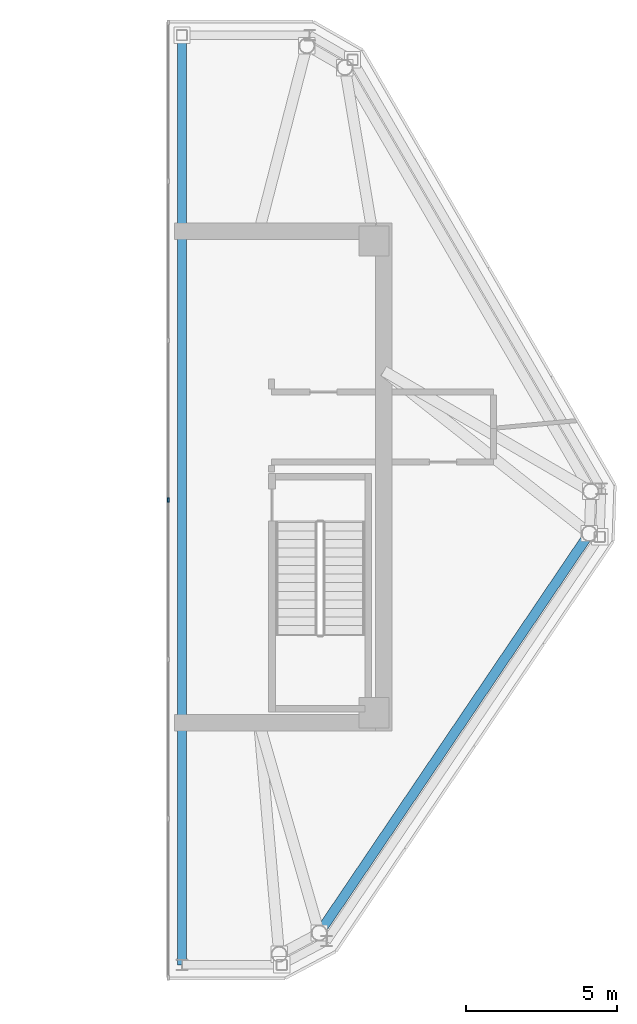
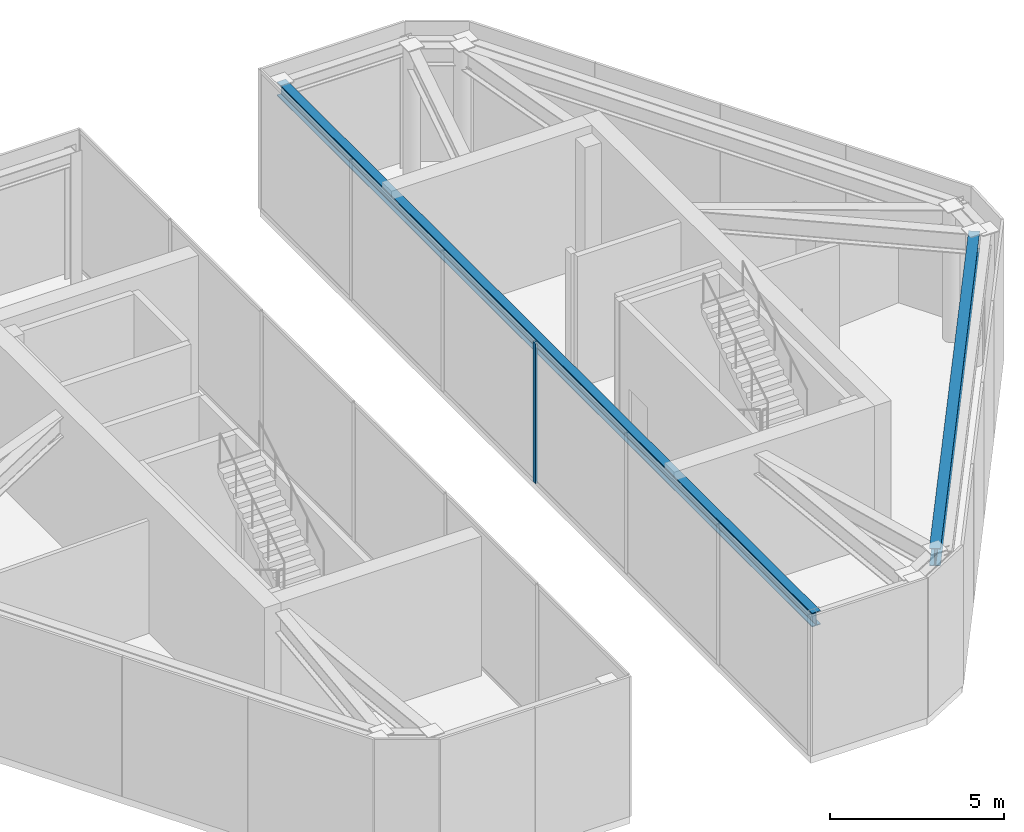
# One storey, part 3 of 8: 2 beams, 1 member, 1 element without a shape of its own.
"""IFC4 building model written with IfcOpenShell, lengths in metres."""

import ifcopenshell
import ifcopenshell.guid

model = None  # the IFC model being written
_history = None  # IfcOwnerHistory: only IFC2X3 demands one
_inside = {}  # id of a spatial element -> (the spatial element, [elements in it])
_under = {}  # id of a project, library or spatial element -> (it, [spatial elements below it])
_declared = {}  # id of a project -> (the project, [libraries it declares])
_typed = {}  # id of a type object -> (the type object, [elements of that type])
_made_of = {}  # id of a material, layer set ... -> (it, [elements and type objects made of it])


def new_model(schema):
    """Start an empty IFC model of exactly this schema.

    Asked for "IFC4X3", IfcOpenShell would pick the latest addendum, in which some entities
    have other attributes; the version numbers below select the first issue.
    IFC2X3 requires an IfcOwnerHistory on every rooted entity: one is made here for all.
    """
    global model, _history
    if schema == "IFC4X3":
        model = ifcopenshell.file(schema_version=(4, 3, 0, 0))
    else:
        model = ifcopenshell.file(schema=schema)
    _inside.clear()
    _under.clear()
    _declared.clear()
    _typed.clear()
    _made_of.clear()
    _history = None
    if model.schema == "IFC2X3":
        org = make("IfcOrganization", Name="unknown")
        user = make(
            "IfcPersonAndOrganization",
            ThePerson=make("IfcPerson", FamilyName="unknown"),
            TheOrganization=org,
        )
        app = make(
            "IfcApplication",
            ApplicationDeveloper=org,
            Version="unknown",
            ApplicationFullName="unknown",
            ApplicationIdentifier="unknown",
        )
        _history = make(
            "IfcOwnerHistory",
            OwningUser=user,
            OwningApplication=app,
            ChangeAction="ADDED",
            CreationDate=0,
        )
    return model


def make(cls, **values):
    """One entity of the class cls with the attributes given. An attribute that is None is left unset."""
    return model.create_entity(
        cls, **{name: value for name, value in values.items() if value is not None}
    )


def rooted(cls, **values):
    """An entity with a GlobalId (a new one), such as an element, a storey or a relation."""
    return make(cls, GlobalId=ifcopenshell.guid.new(), OwnerHistory=_history, **values)


def si_unit(unit_type, name, prefix=None):
    """IfcSIUnit, for example si_unit("LENGTHUNIT", "METRE", prefix="MILLI")."""
    return make("IfcSIUnit", UnitType=unit_type, Prefix=prefix, Name=name)


def assignment(units):
    """IfcUnitAssignment: the units of a project."""
    return None if units is None else make("IfcUnitAssignment", Units=units)


def point(xyz):
    """IfcCartesianPoint."""
    return None if xyz is None else make("IfcCartesianPoint", Coordinates=xyz)


def direction(xyz):
    """IfcDirection."""
    return None if xyz is None else make("IfcDirection", DirectionRatios=xyz)


def frame(location, z_axis=None, x_axis=None):
    """IfcAxis2Placement3D, a coordinate frame: its origin and axes. An axis left out is left unset."""
    return make(
        "IfcAxis2Placement3D",
        Location=point(location),
        Axis=direction(z_axis),
        RefDirection=direction(x_axis),
    )


def frame_2d(location, x_axis=None):
    """IfcAxis2Placement2D, a coordinate frame in the plane: its origin and x axis."""
    return make(
        "IfcAxis2Placement2D", Location=point(location), RefDirection=direction(x_axis)
    )


def origin():
    """The frame at (0, 0, 0) with its axes left unset."""
    return frame((0.0, 0.0, 0.0))


def origin_2d():
    """The frame at (0, 0) in the plane with its x axis left unset."""
    return frame_2d((0.0, 0.0))


def place(relative_to, where):
    """IfcLocalPlacement: puts the frame where relative to a parent placement (None: the world)."""
    return make(
        "IfcLocalPlacement", PlacementRelTo=relative_to, RelativePlacement=where
    )


def context(
    kind, dimensions, precision=None, world=None, true_north=None, identifier=None
):
    """IfcGeometricRepresentationContext, for example the 3D "Model" context."""
    return make(
        "IfcGeometricRepresentationContext",
        ContextIdentifier=identifier,
        ContextType=kind,
        CoordinateSpaceDimension=dimensions,
        Precision=precision,
        WorldCoordinateSystem=world,
        TrueNorth=true_north,
    )


def subcontext(parent, identifier, kind, view, scale=None):
    """IfcGeometricRepresentationSubContext, for example "Body" below "Model"."""
    return make(
        "IfcGeometricRepresentationSubContext",
        ContextIdentifier=identifier,
        ContextType=kind,
        ParentContext=parent,
        TargetScale=scale,
        TargetView=view,
    )


def project(units=None, contexts=None):
    """IfcProject with its units and contexts."""
    return rooted(
        "IfcProject",
        Name="project",
        RepresentationContexts=contexts,
        UnitsInContext=assignment(units),
    )


def spatial(cls, under=None, at=None, **own):
    """A site, building, storey or space (cls), placed at a placement, below another one or the project."""
    s = rooted(cls, ObjectPlacement=at, **own)
    if under is not None:
        _under.setdefault(under.id(), (under, []))[1].append(s)
    return s


def profile(cls, at=None, kind="AREA", **sizes):
    """A parametric profile (cls). Its sizes go by their IFC names, for example OverallWidth=200.0."""
    return make(cls, ProfileType=kind, Position=at, **sizes)


def rectangle(**sizes):
    """IfcRectangleProfileDef."""
    return profile("IfcRectangleProfileDef", **sizes)


def i_section(**sizes):
    """IfcIShapeProfileDef."""
    return profile("IfcIShapeProfileDef", **sizes)


def extrude(swept, where, along, depth):
    """IfcExtrudedAreaSolid: the profile swept, set in the frame where, extruded along a direction by depth."""
    return make(
        "IfcExtrudedAreaSolid",
        SweptArea=swept,
        Position=where,
        ExtrudedDirection=direction(along),
        Depth=depth,
    )


def shape(context_of_items, identifier, shape_type, items):
    """IfcShapeRepresentation: the items that make up one representation, for example the "Body"."""
    return make(
        "IfcShapeRepresentation",
        ContextOfItems=context_of_items,
        RepresentationIdentifier=identifier,
        RepresentationType=shape_type,
        Items=items,
    )


def source(mapping_origin, context_of_items, identifier, shape_type, items):
    """IfcRepresentationMap: a shape defined once, which mapped items show again and again."""
    return make(
        "IfcRepresentationMap",
        MappingOrigin=mapping_origin,
        MappedRepresentation=shape(context_of_items, identifier, shape_type, items),
    )


def transform(
    local_origin,
    x_axis=None,
    y_axis=None,
    z_axis=None,
    scale=None,
    scale2=None,
    scale3=None,
    uniform=True,
):
    """IfcCartesianTransformationOperator3D, or its non-uniform kind. x_axis, y_axis, z_axis: its Axis1, 2, 3."""
    if uniform:
        return make(
            "IfcCartesianTransformationOperator3D",
            Axis1=direction(x_axis),
            Axis2=direction(y_axis),
            LocalOrigin=point(local_origin),
            Scale=scale,
            Axis3=direction(z_axis),
        )
    return make(
        "IfcCartesianTransformationOperator3DnonUniform",
        Axis1=direction(x_axis),
        Axis2=direction(y_axis),
        LocalOrigin=point(local_origin),
        Scale=scale,
        Axis3=direction(z_axis),
        Scale2=scale2,
        Scale3=scale3,
    )


def mapped(mapping_source, mapping_target):
    """IfcMappedItem: shows the shape of a source again, moved by a transform."""
    return make(
        "IfcMappedItem", MappingSource=mapping_source, MappingTarget=mapping_target
    )


def material(Name=None, Category=None):
    """IfcMaterial."""
    return make("IfcMaterial", Name=Name, Category=Category)


def layer(
    of_material, thickness, ventilated=None, Name=None, Category=None, Priority=None
):
    """IfcMaterialLayer: one layer of a wall or slab, of a material (None: an air gap)."""
    return make(
        "IfcMaterialLayer",
        Material=of_material,
        LayerThickness=thickness,
        IsVentilated=ventilated,
        Name=Name,
        Category=Category,
        Priority=Priority,
    )


def layer_set(layers, Name=None):
    """IfcMaterialLayerSet."""
    return make("IfcMaterialLayerSet", MaterialLayers=layers, LayerSetName=Name)


def material_profile(
    of_material, cross_section, Name=None, Category=None, Priority=None
):
    """IfcMaterialProfile: a cross section and its material."""
    return make(
        "IfcMaterialProfile",
        Name=Name,
        Material=of_material,
        Profile=cross_section,
        Priority=Priority,
        Category=Category,
    )


def profile_set(profiles, Name=None, composite=None):
    """IfcMaterialProfileSet."""
    return make(
        "IfcMaterialProfileSet",
        Name=Name,
        MaterialProfiles=profiles,
        CompositeProfile=composite,
    )


def made_of(thing, what):
    """Note that an element or type object is made of a material, layer set ...; save() writes the relation."""
    if what is not None:
        _made_of.setdefault(what.id(), (what, []))[1].append(thing)
    return thing


def type_object(cls, material=None, **own):
    """A type object (cls), such as IfcWallType, which elements share."""
    return made_of(rooted(cls, **own), material)


def type_shapes(of_type, sources):
    """Give a type object the sources (RepresentationMaps) that its elements show as mapped items."""
    of_type.RepresentationMaps = sources


def element(
    cls,
    number,
    at=None,
    inside=None,
    cuts=None,
    type_object=None,
    material=None,
    context=None,
    identifier="Body",
    shape_type=None,
    held_by="IfcProductDefinitionShape",
    body=None,
    shapes=None,
    **own,
):
    """One element of the class cls, such as IfcWall. Its Tag is "e" and its number.

    at: its placement. inside: the storey or other place that contains it. cuts: it is an
    opening in that element (IfcRelVoidsElement). A single representation is given by context,
    identifier, shape_type and body (its items); several are given by shapes. held_by: the class
    of the entity that holds the representations. save() writes the other relations.
    """
    e = rooted(cls, Tag="e%d" % number, ObjectPlacement=at, **own)
    if body is not None:
        shapes = [shape(context, identifier, shape_type, body)]
    if shapes is not None:
        e.Representation = make(held_by, Representations=shapes)
    if inside is not None:
        _inside.setdefault(inside.id(), (inside, []))[1].append(e)
    if cuts is not None:
        rooted(
            "IfcRelVoidsElement", RelatingBuildingElement=cuts, RelatedOpeningElement=e
        )
    if type_object is not None:
        _typed.setdefault(type_object.id(), (type_object, []))[1].append(e)
    return made_of(e, material)


def aggregate(whole, parts):
    """IfcRelAggregates: a whole, such as a stair, and the parts it consists of."""
    return rooted("IfcRelAggregates", RelatingObject=whole, RelatedObjects=parts)


def save(model, path):
    """Write the relations noted so far, then the file.

    IfcRelAggregates (storeys below a building ...), IfcRelContainedInSpatialStructure (elements
    in a storey), IfcRelDefinesByType, IfcRelAssociatesMaterial and IfcRelDeclares: one each for
    every whole, place, type object, material and project.
    """
    for whole, parts in _under.values():
        aggregate(whole, parts)
    for where, things in _inside.values():
        rooted(
            "IfcRelContainedInSpatialStructure",
            RelatedElements=things,
            RelatingStructure=where,
        )
    for kind, things in _typed.values():
        rooted("IfcRelDefinesByType", RelatedObjects=things, RelatingType=kind)
    for what, things in _made_of.values():
        rooted("IfcRelAssociatesMaterial", RelatedObjects=things, RelatingMaterial=what)
    for by, libraries in _declared.values():
        rooted("IfcRelDeclares", RelatingContext=by, RelatedDefinitions=libraries)
    model.write(path)


model = new_model("IFC4")

# Units and contexts
model_context = context("Model", 3, precision=1e-05, world=origin(), true_north=direction((0.0, 1.0)))
body_context = subcontext(model_context, "Body", "Model", "MODEL_VIEW")
ifc_project = project(units=[si_unit("LENGTHUNIT", "METRE"), si_unit("AREAUNIT", "SQUARE_METRE"), si_unit("VOLUMEUNIT", "CUBIC_METRE"), si_unit("PLANEANGLEUNIT", "RADIAN"), si_unit("MASSUNIT", "GRAM", prefix="KILO")], contexts=[model_context])

# Site, building, storey
site_placement = place(None, origin())
site = spatial("IfcSite", under=ifc_project, at=site_placement, CompositionType="ELEMENT")
building_placement = place(site_placement, origin())
building = spatial("IfcBuilding", under=site, at=building_placement, Name="Durnholm Broadcast Tower", CompositionType="ELEMENT")
storey_placement = place(building_placement, frame((0.0, 0.0, 282.10009765625)))
storey = spatial("IfcBuildingStorey", under=building, at=storey_placement, Name="L78", CompositionType="ELEMENT", Elevation=282.10009765625)

# Beams
ifc_material_1 = material(Name="Steel ASTM A992 Grade 50", Category="steel")
ifc_material_profile_1 = material_profile(ifc_material_1, i_section(OverallWidth=0.3251953125, OverallDepth=0.6162109375, WebThickness=0.013916015625, FlangeThickness=0.021484375, FilletRadius=0.02783203125, at=origin_2d()), Name="W24X117")
ifc_profile_set_1 = profile_set([ifc_material_profile_1], Name="Steel ASTM A992 Grade 50")
beam_type_1 = type_object("IfcBeamType", Name="STL-SP-W24X117", PredefinedType="SPANDREL", material=ifc_profile_set_1)
shared_shape_1 = source(origin(), body_context, "Body", "SweptSolid", [
    extrude(i_section(OverallWidth=0.3251953125, OverallDepth=0.6162109375, WebThickness=0.013916015625, FlangeThickness=0.021484375, FilletRadius=0.02783203125, at=origin_2d()), origin(), (0.0, 0.0, 1.0), 15.947265625),
])
type_shapes(beam_type_1, [shared_shape_1])
beam_1_placement = place(storey_placement, frame((16.92236328125, -1.869873046875, 4.296875), z_axis=(-0.560062212489, -0.828450552623, 0.0), x_axis=(0.828450552623, -0.560062212489, 0.0)))
element("IfcBeam", 1, at=beam_1_placement, inside=storey, type_object=beam_type_1, Name="L78 perimeter spandrel girder 09", PredefinedType="SPANDREL", context=body_context, shape_type="MappedRepresentation", body=[
    mapped(shared_shape_1, transform((0.0, 0.0, 0.0), x_axis=(1.0, 0.0, 0.0), y_axis=(0.0, 1.0, 0.0), z_axis=(0.0, 0.0, 1.0), scale=1.0)),
])
ifc_material_profile_2 = material_profile(ifc_material_1, i_section(OverallWidth=0.2861328125, OverallDepth=0.481689453125, WebThickness=0.0166015625, FlangeThickness=0.02685546875, FilletRadius=0.02294921875, at=origin_2d()), Name="W18X119")
ifc_profile_set_2 = profile_set([ifc_material_profile_2], Name="Steel ASTM A992 Grade 50")
beam_type_2 = type_object("IfcBeamType", Name="STL-BM-W18X119", PredefinedType="BEAM", material=ifc_profile_set_2)
shared_shape_2 = source(origin(), body_context, "Body", "SweptSolid", [
    extrude(i_section(OverallWidth=0.2861328125, OverallDepth=0.481689453125, WebThickness=0.0166015625, FlangeThickness=0.02685546875, FilletRadius=0.02294921875, at=origin_2d()), origin(), (0.0, 0.0, 1.0), 30.748046875),
])
type_shapes(beam_type_2, [shared_shape_2])
beam_2_placement = place(storey_placement, frame((3.449951171875, 14.612060546875, 4.364013671875), z_axis=(0.0, -1.0, 0.0), x_axis=(1.0, 0.0, 0.0)))
element("IfcBeam", 2, at=beam_2_placement, inside=storey, type_object=beam_type_2, Name="L78 E split-crown frame ring beam 1", PredefinedType="SPANDREL", context=body_context, shape_type="MappedRepresentation", body=[
    mapped(shared_shape_2, transform((0.0, 0.0, 0.0), x_axis=(1.0, 0.0, 0.0), y_axis=(0.0, 1.0, 0.0), z_axis=(0.0, 0.0, 1.0), scale=1.0)),
])

# Curtain wall, member
ifc_material_2 = material(Name="Aluminium and Solar Control IGU", Category="aluminium")
ifc_layer = layer(ifc_material_2, 0.1650390625)
ifc_layer_set = layer_set([ifc_layer], Name="Aluminium and Solar Control IGU")
curtain_wall_type = type_object("IfcCurtainWallType", Name="CW-SYS-7", PredefinedType="NOTDEFINED", material=ifc_layer_set)
curtain_wall_placement = place(storey_placement, origin())
curtain_wall = element("IfcCurtainWall", 3, at=curtain_wall_placement, inside=storey, type_object=curtain_wall_type, Name="L78 curtain wall CW-CROWN CW-L78-E-7", PredefinedType="NOTDEFINED")
ifc_material_3 = material(Name="Aluminium 6063-T6", Category="aluminium")
ifc_material_profile_3 = material_profile(ifc_material_3, rectangle(XDim=0.06494140625, YDim=0.1650390625, at=origin_2d()), Name="CWM65X165")
ifc_profile_set_3 = profile_set([ifc_material_profile_3], Name="Aluminium 6063-T6")
member_type = type_object("IfcMemberType", Name="CW-SYS-7-MUL", PredefinedType="MULLION", material=ifc_profile_set_3)
shared_shape_3 = source(origin(), body_context, "Body", "SweptSolid", [
    extrude(rectangle(XDim=0.06494140625, YDim=0.1650390625, at=origin_2d()), origin(), (0.0, 0.0, 1.0), 4.89990234375),
])
type_shapes(member_type, [shared_shape_3])
member_placement = place(storey_placement, frame((3.0, -0.761962890625, 0.0), z_axis=(0.0, 0.0, 1.0), x_axis=(-1.0, 0.0, 0.0)))
member = element("IfcMember", 4, at=member_placement, type_object=member_type, Name="CW-CROWN mullion 4", PredefinedType="MULLION", context=body_context, shape_type="MappedRepresentation", body=[
    mapped(shared_shape_3, transform((0.0, 0.0, 0.0), x_axis=(1.0, 0.0, 0.0), y_axis=(0.0, 1.0, 0.0), z_axis=(0.0, 0.0, 1.0), scale=1.0)),
])
aggregate(curtain_wall, [member])

save(model, "model.ifc")
